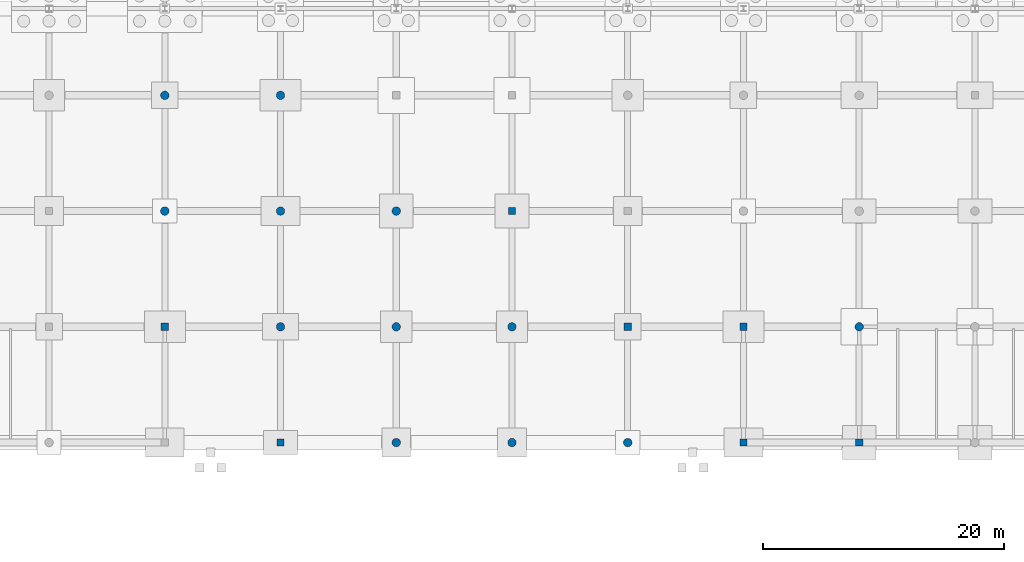
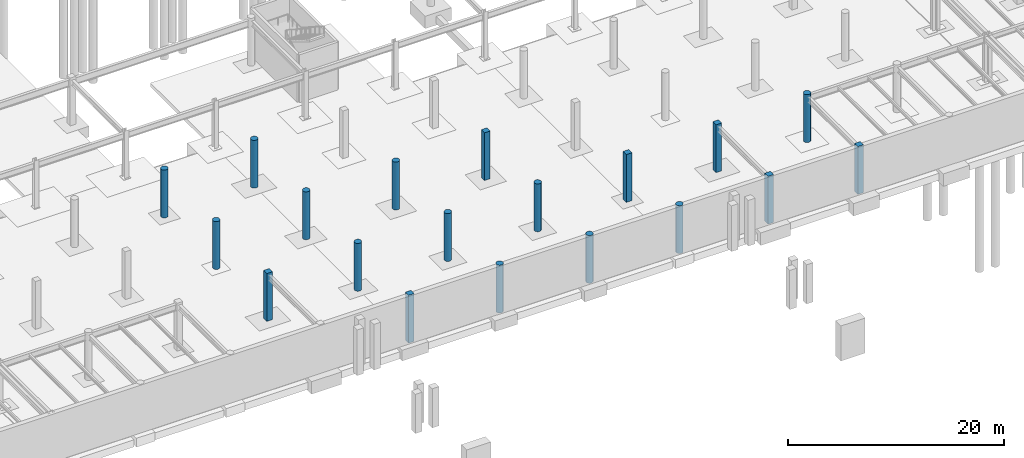
# One storey, part 14 of 50: 19 columns.
"""IFC4 building model written with IfcOpenShell, lengths in metres."""

from ifc_helpers import new_model, si_unit, direction, frame, origin, origin_2d, place, context, subcontext, project, spatial, rectangle, circle, extrude, material, material_profile, profile_set, type_object, element, save


model = new_model("IFC4")

# Units and contexts
model_context = context("Model", 3, precision=1e-05, world=origin(), true_north=direction((0.0, 1.0)))
body_context = subcontext(model_context, "Body", "Model", "MODEL_VIEW")
ifc_project = project(units=[si_unit("LENGTHUNIT", "METRE"), si_unit("AREAUNIT", "SQUARE_METRE"), si_unit("VOLUMEUNIT", "CUBIC_METRE"), si_unit("PLANEANGLEUNIT", "RADIAN"), si_unit("MASSUNIT", "GRAM", prefix="KILO")], contexts=[model_context])

# Site, building, storey
site_placement = place(None, origin())
site = spatial("IfcSite", under=ifc_project, at=site_placement, CompositionType="ELEMENT")
building_placement = place(site_placement, origin())
building = spatial("IfcBuilding", under=site, at=building_placement, Name="Yeouljin Market Hall", CompositionType="ELEMENT")
storey_placement = place(building_placement, frame((0.0, 0.0, -5.39990234375)))
storey = spatial("IfcBuildingStorey", under=building, at=storey_placement, Name="B1", CompositionType="ELEMENT", Elevation=-5.39990234375)

# Columns
ifc_material_1 = material(Name="Concrete C35/45", Category="concrete")
ifc_material_profile_1 = material_profile(ifc_material_1, rectangle(XDim=0.60009765625, YDim=0.60009765625, at=origin_2d()), Name="RC-600x600")
ifc_profile_set_1 = profile_set([ifc_material_profile_1], Name="Concrete C35/45")
column_type_1 = type_object("IfcColumnType", Name="Col_RC-600x600", PredefinedType="COLUMN", material=ifc_profile_set_1)
for number, where, z_axis, x_axis, name in (
    (1, (64.199951171875, 9.60009765625, 0.0), (0.0, 0.0, 1.0), (1.0, 0.0, 0.0), "Column G-08-01 (B1)"),
    (2, (73.800048828125, 0.0, 0.0), (0.0, 0.0, 1.0), (1.0, 0.0, 0.0), "Column G-09-00 (B1)"),
    (3, (93.0, 19.199951171875, 0.0), (0.0, 0.0, 1.0), (1.0, 0.0, 0.0), "Column G-11-02 (B1)"),
    (4, (102.60009765625, 9.60009765625, 0.0), (0.0, 0.0, 1.0), (1.0, 0.0, 0.0), "Column G-12-01 (B1)"),
    (5, (112.199951171875, 0.0, 0.0), (0.0, 0.0, 1.0), (1.0, 0.0, 0.0), "Column G-13-00 (B1)"),
    (6, (112.199951171875, 9.60009765625, 0.0), (0.0, 0.0, 1.0), (1.0, 0.0, 0.0), "Column G-13-01 (B1)"),
    (7, (121.800048828125, 0.0, 0.0), (0.0, 0.0, 1.0), (1.0, 0.0, 0.0), "Column G-14-00 (B1)"),
):
    element("IfcColumn", number, at=place(storey_placement, frame(where, z_axis=z_axis, x_axis=x_axis)), inside=storey, type_object=column_type_1, Name=name, PredefinedType="COLUMN", context=body_context, shape_type="SweptSolid", body=[
        extrude(rectangle(XDim=0.60009765625, YDim=0.60009765625, at=origin_2d()), origin(), (0.0, 0.0, 1.0), 5.39990234375),
    ])
ifc_material_2 = material(Name="Concrete C35/45", Category="concrete")
ifc_material_profile_2 = material_profile(ifc_material_2, circle(Radius=0.35009765625, at=origin_2d()), Name="RC-D700")
ifc_profile_set_2 = profile_set([ifc_material_profile_2], Name="Concrete C35/45")
column_type_2 = type_object("IfcColumnType", Name="Col_RC-D700", PredefinedType="COLUMN", material=ifc_profile_set_2)
for number, where, z_axis, x_axis, name in (
    (8, (64.199951171875, 19.199951171875, 0.0), (0.0, 0.0, 1.0), (1.0, 0.0, 0.0), "Column G-08-02 (B1)"),
    (9, (64.199951171875, 28.800048828125, 0.0), (0.0, 0.0, 1.0), (1.0, 0.0, 0.0), "Column G-08-03 (B1)"),
    (10, (73.800048828125, 9.60009765625, 0.0), (0.0, 0.0, 1.0), (1.0, 0.0, 0.0), "Column G-09-01 (B1)"),
    (11, (73.800048828125, 19.199951171875, 0.0), (0.0, 0.0, 1.0), (1.0, 0.0, 0.0), "Column G-09-02 (B1)"),
    (12, (73.800048828125, 28.800048828125, 0.0), (0.0, 0.0, 1.0), (1.0, 0.0, 0.0), "Column G-09-03 (B1)"),
    (13, (83.39990234375, 0.0, 0.0), (0.0, 0.0, 1.0), (1.0, 0.0, 0.0), "Column G-10-00 (B1)"),
    (14, (83.39990234375, 9.60009765625, 0.0), (0.0, 0.0, 1.0), (1.0, 0.0, 0.0), "Column G-10-01 (B1)"),
    (15, (83.39990234375, 19.199951171875, 0.0), (0.0, 0.0, 1.0), (1.0, 0.0, 0.0), "Column G-10-02 (B1)"),
    (16, (93.0, 0.0, 0.0), (0.0, 0.0, 1.0), (1.0, 0.0, 0.0), "Column G-11-00 (B1)"),
    (17, (93.0, 9.60009765625, 0.0), (0.0, 0.0, 1.0), (1.0, 0.0, 0.0), "Column G-11-01 (B1)"),
    (18, (102.60009765625, 0.0, 0.0), (0.0, 0.0, 1.0), (1.0, 0.0, 0.0), "Column G-12-00 (B1)"),
    (19, (121.800048828125, 9.60009765625, 0.0), (0.0, 0.0, 1.0), (1.0, 0.0, 0.0), "Column G-14-01 (B1)"),
):
    element("IfcColumn", number, at=place(storey_placement, frame(where, z_axis=z_axis, x_axis=x_axis)), inside=storey, type_object=column_type_2, Name=name, PredefinedType="COLUMN", context=body_context, shape_type="SweptSolid", body=[
        extrude(circle(Radius=0.35009765625, at=origin_2d()), origin(), (0.0, 0.0, 1.0), 5.39990234375),
    ])

save(model, "model.ifc")
